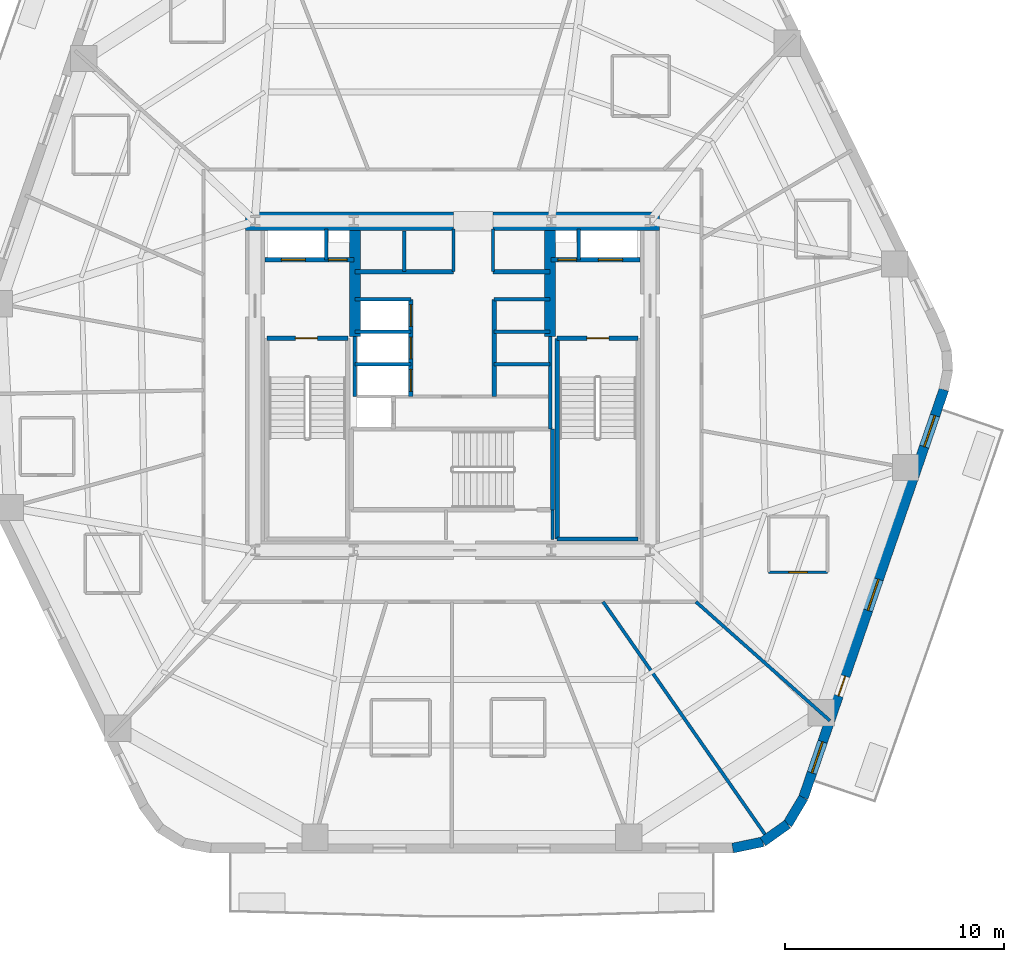
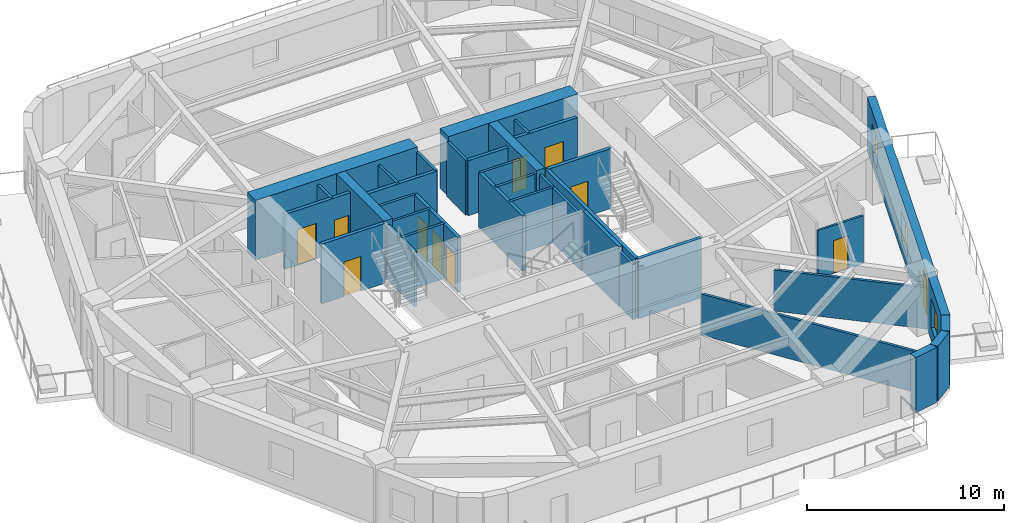
# One storey, part 4 of 8: 36 walls, 11 doors, 3 windows, 14 openings.
"""IFC4 building model written with IfcOpenShell, lengths in metres."""

import ifcopenshell
import ifcopenshell.guid

model = None  # the IFC model being written
_history = None  # IfcOwnerHistory: only IFC2X3 demands one
_inside = {}  # id of a spatial element -> (the spatial element, [elements in it])
_under = {}  # id of a project, library or spatial element -> (it, [spatial elements below it])
_declared = {}  # id of a project -> (the project, [libraries it declares])
_typed = {}  # id of a type object -> (the type object, [elements of that type])
_made_of = {}  # id of a material, layer set ... -> (it, [elements and type objects made of it])


def new_model(schema):
    """Start an empty IFC model of exactly this schema.

    Asked for "IFC4X3", IfcOpenShell would pick the latest addendum, in which some entities
    have other attributes; the version numbers below select the first issue.
    IFC2X3 requires an IfcOwnerHistory on every rooted entity: one is made here for all.
    """
    global model, _history
    if schema == "IFC4X3":
        model = ifcopenshell.file(schema_version=(4, 3, 0, 0))
    else:
        model = ifcopenshell.file(schema=schema)
    _inside.clear()
    _under.clear()
    _declared.clear()
    _typed.clear()
    _made_of.clear()
    _history = None
    if model.schema == "IFC2X3":
        org = make("IfcOrganization", Name="unknown")
        user = make(
            "IfcPersonAndOrganization",
            ThePerson=make("IfcPerson", FamilyName="unknown"),
            TheOrganization=org,
        )
        app = make(
            "IfcApplication",
            ApplicationDeveloper=org,
            Version="unknown",
            ApplicationFullName="unknown",
            ApplicationIdentifier="unknown",
        )
        _history = make(
            "IfcOwnerHistory",
            OwningUser=user,
            OwningApplication=app,
            ChangeAction="ADDED",
            CreationDate=0,
        )
    return model


def make(cls, **values):
    """One entity of the class cls with the attributes given. An attribute that is None is left unset."""
    return model.create_entity(
        cls, **{name: value for name, value in values.items() if value is not None}
    )


def rooted(cls, **values):
    """An entity with a GlobalId (a new one), such as an element, a storey or a relation."""
    return make(cls, GlobalId=ifcopenshell.guid.new(), OwnerHistory=_history, **values)


def si_unit(unit_type, name, prefix=None):
    """IfcSIUnit, for example si_unit("LENGTHUNIT", "METRE", prefix="MILLI")."""
    return make("IfcSIUnit", UnitType=unit_type, Prefix=prefix, Name=name)


def assignment(units):
    """IfcUnitAssignment: the units of a project."""
    return None if units is None else make("IfcUnitAssignment", Units=units)


def point(xyz):
    """IfcCartesianPoint."""
    return None if xyz is None else make("IfcCartesianPoint", Coordinates=xyz)


def direction(xyz):
    """IfcDirection."""
    return None if xyz is None else make("IfcDirection", DirectionRatios=xyz)


def frame(location, z_axis=None, x_axis=None):
    """IfcAxis2Placement3D, a coordinate frame: its origin and axes. An axis left out is left unset."""
    return make(
        "IfcAxis2Placement3D",
        Location=point(location),
        Axis=direction(z_axis),
        RefDirection=direction(x_axis),
    )


def frame_2d(location, x_axis=None):
    """IfcAxis2Placement2D, a coordinate frame in the plane: its origin and x axis."""
    return make(
        "IfcAxis2Placement2D", Location=point(location), RefDirection=direction(x_axis)
    )


def origin():
    """The frame at (0, 0, 0) with its axes left unset."""
    return frame((0.0, 0.0, 0.0))


def place(relative_to, where):
    """IfcLocalPlacement: puts the frame where relative to a parent placement (None: the world)."""
    return make(
        "IfcLocalPlacement", PlacementRelTo=relative_to, RelativePlacement=where
    )


def context(
    kind, dimensions, precision=None, world=None, true_north=None, identifier=None
):
    """IfcGeometricRepresentationContext, for example the 3D "Model" context."""
    return make(
        "IfcGeometricRepresentationContext",
        ContextIdentifier=identifier,
        ContextType=kind,
        CoordinateSpaceDimension=dimensions,
        Precision=precision,
        WorldCoordinateSystem=world,
        TrueNorth=true_north,
    )


def subcontext(parent, identifier, kind, view, scale=None):
    """IfcGeometricRepresentationSubContext, for example "Body" below "Model"."""
    return make(
        "IfcGeometricRepresentationSubContext",
        ContextIdentifier=identifier,
        ContextType=kind,
        ParentContext=parent,
        TargetScale=scale,
        TargetView=view,
    )


def project(units=None, contexts=None):
    """IfcProject with its units and contexts."""
    return rooted(
        "IfcProject",
        Name="project",
        RepresentationContexts=contexts,
        UnitsInContext=assignment(units),
    )


def spatial(cls, under=None, at=None, **own):
    """A site, building, storey or space (cls), placed at a placement, below another one or the project."""
    s = rooted(cls, ObjectPlacement=at, **own)
    if under is not None:
        _under.setdefault(under.id(), (under, []))[1].append(s)
    return s


def profile(cls, at=None, kind="AREA", **sizes):
    """A parametric profile (cls). Its sizes go by their IFC names, for example OverallWidth=200.0."""
    return make(cls, ProfileType=kind, Position=at, **sizes)


def rectangle(**sizes):
    """IfcRectangleProfileDef."""
    return profile("IfcRectangleProfileDef", **sizes)


def extrude(swept, where, along, depth):
    """IfcExtrudedAreaSolid: the profile swept, set in the frame where, extruded along a direction by depth."""
    return make(
        "IfcExtrudedAreaSolid",
        SweptArea=swept,
        Position=where,
        ExtrudedDirection=direction(along),
        Depth=depth,
    )


def shape(context_of_items, identifier, shape_type, items):
    """IfcShapeRepresentation: the items that make up one representation, for example the "Body"."""
    return make(
        "IfcShapeRepresentation",
        ContextOfItems=context_of_items,
        RepresentationIdentifier=identifier,
        RepresentationType=shape_type,
        Items=items,
    )


def material(Name=None, Category=None):
    """IfcMaterial."""
    return make("IfcMaterial", Name=Name, Category=Category)


def layer(
    of_material, thickness, ventilated=None, Name=None, Category=None, Priority=None
):
    """IfcMaterialLayer: one layer of a wall or slab, of a material (None: an air gap)."""
    return make(
        "IfcMaterialLayer",
        Material=of_material,
        LayerThickness=thickness,
        IsVentilated=ventilated,
        Name=Name,
        Category=Category,
        Priority=Priority,
    )


def layer_set(layers, Name=None):
    """IfcMaterialLayerSet."""
    return make("IfcMaterialLayerSet", MaterialLayers=layers, LayerSetName=Name)


def made_of(thing, what):
    """Note that an element or type object is made of a material, layer set ...; save() writes the relation."""
    if what is not None:
        _made_of.setdefault(what.id(), (what, []))[1].append(thing)
    return thing


def type_object(cls, material=None, **own):
    """A type object (cls), such as IfcWallType, which elements share."""
    return made_of(rooted(cls, **own), material)


def element(
    cls,
    number,
    at=None,
    inside=None,
    cuts=None,
    type_object=None,
    material=None,
    context=None,
    identifier="Body",
    shape_type=None,
    held_by="IfcProductDefinitionShape",
    body=None,
    shapes=None,
    **own,
):
    """One element of the class cls, such as IfcWall. Its Tag is "e" and its number.

    at: its placement. inside: the storey or other place that contains it. cuts: it is an
    opening in that element (IfcRelVoidsElement). A single representation is given by context,
    identifier, shape_type and body (its items); several are given by shapes. held_by: the class
    of the entity that holds the representations. save() writes the other relations.
    """
    e = rooted(cls, Tag="e%d" % number, ObjectPlacement=at, **own)
    if body is not None:
        shapes = [shape(context, identifier, shape_type, body)]
    if shapes is not None:
        e.Representation = make(held_by, Representations=shapes)
    if inside is not None:
        _inside.setdefault(inside.id(), (inside, []))[1].append(e)
    if cuts is not None:
        rooted(
            "IfcRelVoidsElement", RelatingBuildingElement=cuts, RelatedOpeningElement=e
        )
    if type_object is not None:
        _typed.setdefault(type_object.id(), (type_object, []))[1].append(e)
    return made_of(e, material)


def fill(opening, filler):
    """IfcRelFillsElement: the door or window that sits in an opening."""
    return rooted(
        "IfcRelFillsElement",
        RelatingOpeningElement=opening,
        RelatedBuildingElement=filler,
    )


def aggregate(whole, parts):
    """IfcRelAggregates: a whole, such as a stair, and the parts it consists of."""
    return rooted("IfcRelAggregates", RelatingObject=whole, RelatedObjects=parts)


def save(model, path):
    """Write the relations noted so far, then the file.

    IfcRelAggregates (storeys below a building ...), IfcRelContainedInSpatialStructure (elements
    in a storey), IfcRelDefinesByType, IfcRelAssociatesMaterial and IfcRelDeclares: one each for
    every whole, place, type object, material and project.
    """
    for whole, parts in _under.values():
        aggregate(whole, parts)
    for where, things in _inside.values():
        rooted(
            "IfcRelContainedInSpatialStructure",
            RelatedElements=things,
            RelatingStructure=where,
        )
    for kind, things in _typed.values():
        rooted("IfcRelDefinesByType", RelatedObjects=things, RelatingType=kind)
    for what, things in _made_of.values():
        rooted("IfcRelAssociatesMaterial", RelatedObjects=things, RelatingMaterial=what)
    for by, libraries in _declared.values():
        rooted("IfcRelDeclares", RelatingContext=by, RelatedDefinitions=libraries)
    model.write(path)


model = new_model("IFC4")

# Units and contexts
model_context = context("Model", 3, precision=1e-05, world=origin(), true_north=direction((0.0, 1.0)))
body_context = subcontext(model_context, "Body", "Model", "MODEL_VIEW")
ifc_project = project(units=[si_unit("LENGTHUNIT", "METRE"), si_unit("AREAUNIT", "SQUARE_METRE"), si_unit("VOLUMEUNIT", "CUBIC_METRE"), si_unit("PLANEANGLEUNIT", "RADIAN"), si_unit("MASSUNIT", "GRAM", prefix="KILO")], contexts=[model_context])

# Site, building, storey
site_placement = place(None, origin())
site = spatial("IfcSite", under=ifc_project, at=site_placement, CompositionType="ELEMENT")
building_placement = place(site_placement, origin())
building = spatial("IfcBuilding", under=site, at=building_placement, Name="Kilnhurst Terrace Hotel", CompositionType="ELEMENT")
storey_placement = place(building_placement, frame((0.0, 0.0, 102.5)))
storey = spatial("IfcBuildingStorey", under=building, at=storey_placement, Name="L24", CompositionType="ELEMENT", Elevation=102.5)

# Walls
ifc_material_1 = material(Name="Precast concrete C40/50", Category="concrete")
ifc_layer_1 = layer(ifc_material_1, 0.449951171875, Name="Precast concrete C40/50")
ifc_layer_set_1 = layer_set([ifc_layer_1], Name="Precast concrete C40/50")
wall_type_1 = type_object("IfcWallType", Name="WL-BRK-450", PredefinedType="SOLIDWALL", material=ifc_layer_set_1)
wall_1_placement = place(storey_placement, frame((12.7705078125, -21.074951171875, 0.0), z_axis=(0.0, 0.0, 1.0), x_axis=(0.97874281988, 0.205091424819, 0.0)))
element("IfcWall", 1, at=wall_1_placement, inside=storey, type_object=wall_type_1, Name="L24 Rounded Corner Brick Wall C2.1", PredefinedType="SOLIDWALL", context=body_context, shape_type="SweptSolid", body=[
    extrude(rectangle(XDim=1.40576171875, YDim=0.449951171875, at=frame_2d((0.702880859375, 0.0))), origin(), (0.0, 0.0, 1.0), 3.39990234375),
])
wall_2_placement = place(storey_placement, frame((14.146484375, -20.78662109375, 0.0), z_axis=(0.0, 0.0, 1.0), x_axis=(0.814162929117, 0.580636482536, 0.0)))
element("IfcWall", 2, at=wall_2_placement, inside=storey, type_object=wall_type_1, Name="L24 Rounded Corner Brick Wall C2.2", PredefinedType="SOLIDWALL", context=body_context, shape_type="SweptSolid", body=[
    extrude(rectangle(XDim=1.382080078125, YDim=0.449951171875, at=frame_2d((0.69091796875, 0.0))), origin(), (0.0, 0.0, 1.0), 3.39990234375),
])
wall_3_placement = place(storey_placement, frame((15.271728515625, -19.984130859375, 0.0), z_axis=(0.0, 0.0, 1.0), x_axis=(0.512579347361, 0.858639862025, 0.0)))
element("IfcWall", 3, at=wall_3_placement, inside=storey, type_object=wall_type_1, Name="L24 Rounded Corner Brick Wall C2.3", PredefinedType="SOLIDWALL", context=body_context, shape_type="SweptSolid", body=[
    extrude(rectangle(XDim=1.406005859375, YDim=0.449951171875, at=frame_2d((0.703125, 0.0))), origin(), (0.0, 0.0, 1.0), 3.39990234375),
])

# Wall, openings, door, windows
wall_4_placement = place(storey_placement, frame((15.992431640625, -18.77685546875, 0.0), z_axis=(0.0, 0.0, 1.0), x_axis=(0.325606988926, 0.945505202927, 0.0)))
wall_4 = element("IfcWall", 4, at=wall_4_placement, inside=storey, type_object=wall_type_1, Name="L24 Exterior Brick Facade Wall F2", PredefinedType="SOLIDWALL", context=body_context, shape_type="SweptSolid", body=[
    extrude(rectangle(XDim=19.66943359375, YDim=0.449951171875, at=frame_2d((9.834716796875, 0.0))), origin(), (0.0, 0.0, 1.0), 3.39990234375),
])
opening_1_placement = place(wall_4_placement, frame((4.908935546875, 0.0, 0.0)))
opening_1 = element("IfcOpeningElement", 5, at=opening_1_placement, cuts=wall_4, Name="Opening BD-950", PredefinedType="OPENING", context=body_context, shape_type="SweptSolid", body=[
    extrude(rectangle(XDim=0.949951171875, YDim=2.14990234375, at=frame_2d((0.47509765625, 1.074951171875))), frame((0.0, 0.23486328125, 0.0), z_axis=(0.0, -1.0, 0.0), x_axis=(1.0, 0.0, 0.0)), (0.0, 0.0, 1.0), 0.469970703125),
])
opening_2_placement = place(wall_4_placement, frame((1.197021484375, 0.0, 0.800048828125)))
opening_2 = element("IfcOpeningElement", 6, at=opening_2_placement, cuts=wall_4, Name="Opening W-02", PredefinedType="OPENING", context=body_context, shape_type="SweptSolid", body=[
    extrude(rectangle(XDim=1.5, YDim=1.800048828125, at=frame_2d((0.75, 0.89990234375))), frame((0.0, 0.23486328125, 0.0), z_axis=(0.0, -1.0, 0.0), x_axis=(1.0, 0.0, 0.0)), (0.0, 0.0, 1.0), 0.469970703125),
])
opening_3_placement = place(wall_4_placement, frame((9.030029296875, 0.0, 0.800048828125)))
opening_3 = element("IfcOpeningElement", 7, at=opening_3_placement, cuts=wall_4, Name="Opening W-02", PredefinedType="OPENING", context=body_context, shape_type="SweptSolid", body=[
    extrude(rectangle(XDim=1.5, YDim=1.800048828125, at=frame_2d((0.75, 0.89990234375))), frame((0.0, 0.23486328125, 0.0), z_axis=(0.0, -1.0, 0.0), x_axis=(1.0, 0.0, 0.0)), (0.0, 0.0, 1.0), 0.469970703125),
])
opening_4_placement = place(wall_4_placement, frame((16.91796875, 0.0, 0.800048828125)))
opening_4 = element("IfcOpeningElement", 8, at=opening_4_placement, cuts=wall_4, Name="Opening W-02", PredefinedType="OPENING", context=body_context, shape_type="SweptSolid", body=[
    extrude(rectangle(XDim=1.5, YDim=1.800048828125, at=frame_2d((0.75, 0.89990234375))), frame((0.0, 0.23486328125, 0.0), z_axis=(0.0, -1.0, 0.0), x_axis=(1.0, 0.0, 0.0)), (0.0, 0.0, 1.0), 0.469970703125),
])
ifc_material_2 = material(Name="Thermally Broken Bronze Aluminium Alloy 6063-T6 and Laminated Glass", Category="aluminium")
door_type_1 = type_object("IfcDoorType", Name="DR-EXT-BAL-950", OperationType="NOTDEFINED", PredefinedType="DOOR", material=ifc_material_2)
door_1_placement = place(opening_1_placement, origin())
door_1 = element("IfcDoor", 9, at=door_1_placement, inside=storey, type_object=door_type_1, Name="L24 Planted Balcony Door BAL-L1B", OperationType="SINGLE_SWING_RIGHT", OverallHeight=2.14990234375, OverallWidth=0.949951171875, PredefinedType="DOOR", context=body_context, shape_type="SweptSolid", body=[
    extrude(rectangle(XDim=0.949951171875, YDim=2.14990234375, at=frame_2d((0.47509765625, 1.074951171875))), frame((0.0, 0.02490234375, 0.0), z_axis=(0.0, -1.0, 0.0), x_axis=(1.0, 0.0, 0.0)), (0.0, 0.0, 1.0), 0.050048828125),
])
fill(opening_1, door_1)
ifc_material_3 = material(Name="Thermally Broken Bronze Aluminium Alloy 6063-T6 and Low-E Glass", Category="aluminium")
window_type = type_object("IfcWindowType", Name="WIN-1500X1800", PartitioningType="SINGLE_PANEL", PredefinedType="WINDOW", material=ifc_material_3)
window_1_placement = place(opening_2_placement, origin())
window_1 = element("IfcWindow", 10, at=window_1_placement, inside=storey, type_object=window_type, Name="L24 Deep-Set Masonry Window F2.1", OverallHeight=1.800048828125, OverallWidth=1.5, PartitioningType="SINGLE_PANEL", PredefinedType="WINDOW", context=body_context, shape_type="SweptSolid", body=[
    extrude(rectangle(XDim=1.5, YDim=1.800048828125, at=frame_2d((0.75, 0.89990234375))), frame((0.0, 0.030029296875, 0.0), z_axis=(0.0, -1.0, 0.0), x_axis=(1.0, 0.0, 0.0)), (0.0, 0.0, 1.0), 0.06005859375),
])
fill(opening_2, window_1)
window_2_placement = place(opening_3_placement, origin())
window_2 = element("IfcWindow", 11, at=window_2_placement, inside=storey, type_object=window_type, Name="L24 Deep-Set Masonry Window F2.2", OverallHeight=1.800048828125, OverallWidth=1.5, PartitioningType="SINGLE_PANEL", PredefinedType="WINDOW", context=body_context, shape_type="SweptSolid", body=[
    extrude(rectangle(XDim=1.5, YDim=1.800048828125, at=frame_2d((0.75, 0.89990234375))), frame((0.0, 0.030029296875, 0.0), z_axis=(0.0, -1.0, 0.0), x_axis=(1.0, 0.0, 0.0)), (0.0, 0.0, 1.0), 0.06005859375),
])
fill(opening_3, window_2)
window_3_placement = place(opening_4_placement, origin())
window_3 = element("IfcWindow", 12, at=window_3_placement, inside=storey, type_object=window_type, Name="L24 Deep-Set Masonry Window F2.3", OverallHeight=1.800048828125, OverallWidth=1.5, PartitioningType="SINGLE_PANEL", PredefinedType="WINDOW", context=body_context, shape_type="SweptSolid", body=[
    extrude(rectangle(XDim=1.5, YDim=1.800048828125, at=frame_2d((0.75, 0.89990234375))), frame((0.0, 0.030029296875, 0.0), z_axis=(0.0, -1.0, 0.0), x_axis=(1.0, 0.0, 0.0)), (0.0, 0.0, 1.0), 0.06005859375),
])
fill(opening_4, window_3)

# Walls
ifc_material_4 = material(Name="Concrete C80/95", Category="concrete")
ifc_layer_2 = layer(ifc_material_4, 0.85009765625, Name="Concrete C80/95")
ifc_layer_set_2 = layer_set([ifc_layer_2], Name="Concrete C80/95")
wall_type_2 = type_object("IfcWallType", Name="WL-CORE-850", PredefinedType="SHEAR", material=ifc_layer_set_2)
wall_5_placement = place(storey_placement, frame((-9.425048828125, 7.5, 0.0), z_axis=(0.0, 0.0, 1.0), x_axis=(1.0, 0.0, 0.0)))
element("IfcWall", 13, at=wall_5_placement, inside=storey, type_object=wall_type_2, Name="L24 Core North West Shear Wall", PredefinedType="SHEAR", context=body_context, shape_type="SweptSolid", body=[
    extrude(rectangle(XDim=9.47509765625, YDim=0.85009765625, at=frame_2d((4.737548828125, 0.0))), origin(), (0.0, 0.0, 1.0), 3.699951171875),
])
wall_6_placement = place(storey_placement, frame((1.85009765625, 7.5, 0.0), z_axis=(0.0, 0.0, 1.0), x_axis=(1.0, 0.0, 0.0)))
element("IfcWall", 14, at=wall_6_placement, inside=storey, type_object=wall_type_2, Name="L24 Core North East Shear Wall", PredefinedType="SHEAR", context=body_context, shape_type="SweptSolid", body=[
    extrude(rectangle(XDim=7.574951171875, YDim=0.85009765625, at=frame_2d((3.78759765625, 0.0))), origin(), (0.0, 0.0, 1.0), 3.699951171875),
])
ifc_material_5 = material(Name="Concrete C60/75", Category="concrete")
ifc_layer_3 = layer(ifc_material_5, 0.5, Name="Concrete C60/75")
ifc_layer_set_3 = layer_set([ifc_layer_3], Name="Concrete C60/75")
wall_type_3 = type_object("IfcWallType", Name="WL-CORE-WEB-500", PredefinedType="SHEAR", material=ifc_layer_set_3)
for number, where, z_axis, x_axis, name in (
    (15, (-4.449951171875, 2.25, 0.0), (0.0, 0.0, 1.0), (0.0, 1.0, 0.0), "L24 Core Internal West Shear Web"),
    (16, (4.449951171875, 2.25, 0.0), (0.0, 0.0, 1.0), (0.0, 1.0, 0.0), "L24 Core Internal East Shear Web"),
):
    element("IfcWall", number, at=place(storey_placement, frame(where, z_axis=z_axis, x_axis=x_axis)), inside=storey, type_object=wall_type_3, Name=name, PredefinedType="SHEAR", context=body_context, shape_type="SweptSolid", body=[
        extrude(rectangle(XDim=4.824951171875, YDim=0.5, at=frame_2d((2.41259765625, 0.0))), origin(), (0.0, 0.0, 1.0), 3.699951171875),
    ])
ifc_material_6 = material(Name="STC-58 Acoustic Twin-Frame Guestroom Demising Partition")
ifc_layer_4 = layer(ifc_material_6, 0.14990234375, Name="STC-58 Acoustic Twin-Frame Guestroom Demising Partition")
ifc_layer_set_4 = layer_set([ifc_layer_4], Name="STC-58 Acoustic Twin-Frame Guestroom Demising Partition")
wall_type_4 = type_object("IfcWallType", Name="WL-DEM-150", PredefinedType="PARTITIONING", material=ifc_layer_set_4)
wall_7_placement = place(storey_placement, frame((6.861083984375, -9.85009765625, 0.0), z_axis=(0.0, 0.0, 1.0), x_axis=(0.571575431292, -0.820549527051, 0.0)))
element("IfcWall", 17, at=wall_7_placement, inside=storey, type_object=wall_type_4, Name="L24 Interior Wall WL-L24-DEM-MID10-15-1", PredefinedType="PARTITIONING", context=body_context, shape_type="SweptSolid", body=[
    extrude(rectangle(XDim=12.97509765625, YDim=0.14990234375, at=frame_2d((6.487548828125, 0.0))), origin(), (0.0, 0.0, 1.0), 2.5400390625),
])
wall_8_placement = place(storey_placement, frame((11.097900390625, -9.85009765625, 0.0), z_axis=(0.0, 0.0, 1.0), x_axis=(0.747904295103, -0.663806572253, 0.0)))
element("IfcWall", 18, at=wall_8_placement, inside=storey, type_object=wall_type_4, Name="L24 Interior Wall WL-L24-DEM-COL11-16-1", PredefinedType="PARTITIONING", context=body_context, shape_type="SweptSolid", body=[
    extrude(rectangle(XDim=8.160400390625, YDim=0.14990234375, at=frame_2d((4.080078125, 0.0))), origin(), (0.0, 0.0, 1.0), 2.5400390625),
])

# Wall, opening, door
ifc_material_7 = material(Name="120 mm Moisture-Resistant Tile-Backed Bathroom Partition")
ifc_layer_5 = layer(ifc_material_7, 0.1201171875, Name="120 mm Moisture-Resistant Tile-Backed Bathroom Partition")
ifc_layer_set_5 = layer_set([ifc_layer_5], Name="120 mm Moisture-Resistant Tile-Backed Bathroom Partition")
wall_type_5 = type_object("IfcWallType", Name="WL-PART-120", PredefinedType="PARTITIONING", material=ifc_layer_set_5)
wall_9_placement = place(storey_placement, frame((14.4140625, -8.5, 0.0), z_axis=(0.0, 0.0, 1.0), x_axis=(1.0, 0.0, 0.0)))
wall_9 = element("IfcWall", 19, at=wall_9_placement, inside=storey, type_object=wall_type_5, Name="L24 Interior Wall WL-L24-BTH-16-1", PredefinedType="PARTITIONING", context=body_context, shape_type="SweptSolid", body=[
    extrude(rectangle(XDim=2.679931640625, YDim=0.1201171875, at=frame_2d((1.33984375, 0.0))), origin(), (0.0, 0.0, 1.0), 2.972412109375),
])
opening_5_placement = place(wall_9_placement, frame((0.9150390625, 0.0, 0.0)))
opening_5 = element("IfcOpeningElement", 20, at=opening_5_placement, cuts=wall_9, Name="Opening D-08A", PredefinedType="OPENING", context=body_context, shape_type="SweptSolid", body=[
    extrude(rectangle(XDim=0.85009765625, YDim=2.030029296875, at=frame_2d((0.425048828125, 1.01513671875))), frame((0.0, 0.070068359375, 0.0), z_axis=(0.0, -1.0, 0.0), x_axis=(1.0, 0.0, 0.0)), (0.0, 0.0, 1.0), 0.14013671875),
])
ifc_material_8 = material(Name="Moisture-Resistant Lacquered En-suite Bathroom Door")
door_type_2 = type_object("IfcDoorType", Name="DR-INT-850", OperationType="NOTDEFINED", PredefinedType="DOOR", material=ifc_material_8)
door_2_placement = place(opening_5_placement, origin())
door_2 = element("IfcDoor", 21, at=door_2_placement, inside=storey, type_object=door_type_2, Name="L24 En-suite Bathroom Door 16", OperationType="SINGLE_SWING_LEFT", OverallHeight=2.030029296875, OverallWidth=0.85009765625, PredefinedType="DOOR", context=body_context, shape_type="SweptSolid", body=[
    extrude(rectangle(XDim=0.85009765625, YDim=2.030029296875, at=frame_2d((0.425048828125, 1.01513671875))), frame((0.0, 0.02490234375, 0.0), z_axis=(0.0, -1.0, 0.0), x_axis=(1.0, 0.0, 0.0)), (0.0, 0.0, 1.0), 0.050048828125),
])
fill(opening_5, door_2)

# Walls
ifc_material_9 = material(Name="Fire-Rated Gypsum Shaftliner Assembly")
ifc_layer_6 = layer(ifc_material_9, 0.14990234375, Name="Fire-Rated Gypsum Shaftliner Assembly")
ifc_layer_set_6 = layer_set([ifc_layer_6], Name="Fire-Rated Gypsum Shaftliner Assembly")
wall_type_6 = type_object("IfcWallType", Name="WL-SHAFT-150", PredefinedType="PARTITIONING", material=ifc_layer_set_6)
wall_10_placement = place(storey_placement, frame((4.55810546875, -7.02001953125, 0.0), z_axis=(0.0, 0.0, 1.0), x_axis=(0.0, 1.0, 0.0)))
element("IfcWall", 22, at=wall_10_placement, inside=storey, type_object=wall_type_6, Name="L24 Interior Wall WL-L24-ST3-PSGE", PredefinedType="PARTITIONING", context=body_context, shape_type="SweptSolid", body=[
    extrude(rectangle(XDim=1.362060546875, YDim=0.14990234375, at=frame_2d((0.68115234375, 0.0))), origin(), (0.0, 0.0, 1.0), 3.39990234375),
])
for number, where, z_axis, x_axis, name in (
    (23, (-5.75, 5.739990234375, 0.0), (0.0, 0.0, 1.0), (0.0, 1.0, 0.0), "L24 Interior Wall WL-L24-RIS1-DIV"),
    (24, (5.75, 5.739990234375, 0.0), (0.0, 0.0, 1.0), (0.0, 1.0, 0.0), "L24 Interior Wall WL-L24-RIS2-DIV"),
):
    element("IfcWall", number, at=place(storey_placement, frame(where, z_axis=z_axis, x_axis=x_axis)), inside=storey, type_object=wall_type_6, Name=name, PredefinedType="PARTITIONING", context=body_context, shape_type="SweptSolid", body=[
        extrude(rectangle(XDim=1.409912109375, YDim=0.14990234375, at=frame_2d((0.705078125, 0.0))), origin(), (0.0, 0.0, 1.0), 3.39990234375),
    ])
wall_11_placement = place(storey_placement, frame((-2.199951171875, 5.199951171875, 0.0), z_axis=(0.0, 0.0, 1.0), x_axis=(0.0, 1.0, 0.0)))
element("IfcWall", 25, at=wall_11_placement, inside=storey, type_object=wall_type_6, Name="L24 Interior Wall WL-L24-HR-DIV1", PredefinedType="PARTITIONING", context=body_context, shape_type="SweptSolid", body=[
    extrude(rectangle(XDim=1.85009765625, YDim=0.14990234375, at=frame_2d((0.925048828125, 0.0))), origin(), (0.0, 0.0, 1.0), 3.39990234375),
])
for number, where, z_axis, x_axis, name in (
    (26, (0.050048828125, 5.199951171875, 0.0), (0.0, 0.0, 1.0), (0.0, 1.0, 0.0), "L24 Interior Wall WL-L24-HR-PORTAL-W"),
    (27, (1.85009765625, 5.199951171875, 0.0), (0.0, 0.0, 1.0), (0.0, 1.0, 0.0), "L24 Interior Wall WL-L24-HR-PORTAL-E"),
):
    element("IfcWall", number, at=place(storey_placement, frame(where, z_axis=z_axis, x_axis=x_axis)), inside=storey, type_object=wall_type_6, Name=name, PredefinedType="PARTITIONING", context=body_context, shape_type="SweptSolid", body=[
        extrude(rectangle(XDim=1.949951171875, YDim=0.14990234375, at=frame_2d((0.97509765625, 0.0))), origin(), (0.0, 0.0, 1.0), 3.39990234375),
    ])
wall_12_placement = place(storey_placement, frame((-4.449951171875, -0.5, 0.0), z_axis=(0.0, 0.0, 1.0), x_axis=(0.0, 1.0, 0.0)))
element("IfcWall", 28, at=wall_12_placement, inside=storey, type_object=wall_type_6, Name="L24 Interior Wall WL-L24-XLOB-W", PredefinedType="PARTITIONING", context=body_context, shape_type="SweptSolid", body=[
    extrude(rectangle(XDim=2.75, YDim=0.14990234375, at=frame_2d((1.375, 0.0))), origin(), (0.0, 0.0, 1.0), 3.39990234375),
])
wall_13_placement = place(storey_placement, frame((4.449951171875, -1.971923828125, 0.0), z_axis=(0.0, 0.0, 1.0), x_axis=(0.0, 1.0, 0.0)))
element("IfcWall", 29, at=wall_13_placement, inside=storey, type_object=wall_type_6, Name="L24 Interior Wall WL-L24-XLOB-E", PredefinedType="PARTITIONING", context=body_context, shape_type="SweptSolid", body=[
    extrude(rectangle(XDim=4.221923828125, YDim=0.14990234375, at=frame_2d((2.11083984375, 0.0))), origin(), (0.0, 0.0, 1.0), 3.39990234375),
])
for number, where, z_axis, x_axis, name in (
    (30, (-4.449951171875, 3.93994140625, 0.0), (0.0, 0.0, 1.0), (1.0, 0.0, 0.0), "L24 Interior Wall WL-L24-LR-NORTH"),
    (31, (-4.449951171875, 0.97998046875, 0.0), (0.0, 0.0, 1.0), (1.0, 0.0, 0.0), "L24 Interior Wall WL-L24-LR-D1"),
    (32, (-4.449951171875, 2.4599609375, 0.0), (0.0, 0.0, 1.0), (1.0, 0.0, 0.0), "L24 Interior Wall WL-L24-LR-D2"),
    (33, (1.89990234375, 3.93994140625, 0.0), (0.0, 0.0, 1.0), (1.0, 0.0, 0.0), "L24 Interior Wall WL-L24-MR-NORTH"),
    (34, (1.89990234375, 0.97998046875, 0.0), (0.0, 0.0, 1.0), (1.0, 0.0, 0.0), "L24 Interior Wall WL-L24-MR-D1"),
    (35, (1.89990234375, 2.4599609375, 0.0), (0.0, 0.0, 1.0), (1.0, 0.0, 0.0), "L24 Interior Wall WL-L24-MR-D2"),
):
    element("IfcWall", number, at=place(storey_placement, frame(where, z_axis=z_axis, x_axis=x_axis)), inside=storey, type_object=wall_type_6, Name=name, PredefinedType="PARTITIONING", context=body_context, shape_type="SweptSolid", body=[
        extrude(rectangle(XDim=2.550048828125, YDim=0.14990234375, at=frame_2d((1.27490234375, 0.0))), origin(), (0.0, 0.0, 1.0), 3.39990234375),
    ])

# Wall, openings, doors
ifc_material_10 = material(Name="Autoclaved Aerated Concrete C30/37 and Gypsum Shaft Assembly", Category="concrete")
ifc_layer_7 = layer(ifc_material_10, 0.199951171875, Name="Autoclaved Aerated Concrete C30/37 and Gypsum Shaft Assembly")
ifc_layer_set_7 = layer_set([ifc_layer_7], Name="Autoclaved Aerated Concrete C30/37 and Gypsum Shaft Assembly")
wall_type_7 = type_object("IfcWallType", Name="WL-SHAFT-200", PredefinedType="PARTITIONING", material=ifc_layer_set_7)
wall_14_placement = place(storey_placement, frame((-8.550048828125, 5.739990234375, 0.0), z_axis=(0.0, 0.0, 1.0), x_axis=(1.0, 0.0, 0.0)))
wall_14 = element("IfcWall", 36, at=wall_14_placement, inside=storey, type_object=wall_type_7, Name="L24 Interior Wall WL-L24-FSAE1-S", PredefinedType="PARTITIONING", context=body_context, shape_type="SweptSolid", body=[
    extrude(rectangle(XDim=4.050048828125, YDim=0.199951171875, at=frame_2d((2.02490234375, 0.0))), origin(), (0.0, 0.0, 1.0), 3.39990234375),
])
opening_6_placement = place(wall_14_placement, frame((0.75, 0.0, 0.0)))
opening_6 = element("IfcOpeningElement", 37, at=opening_6_placement, cuts=wall_14, Name="Opening LD-F1", PredefinedType="OPENING", context=body_context, shape_type="SweptSolid", body=[
    extrude(rectangle(XDim=1.10009765625, YDim=2.199951171875, at=frame_2d((0.550048828125, 1.10009765625))), frame((0.0, 0.10986328125, 0.0), z_axis=(0.0, -1.0, 0.0), x_axis=(1.0, 0.0, 0.0)), (0.0, 0.0, 1.0), 0.219970703125),
])
opening_7_placement = place(wall_14_placement, frame((2.89990234375, 0.0, 0.0)))
opening_7 = element("IfcOpeningElement", 38, at=opening_7_placement, cuts=wall_14, Name="Opening D-60D", PredefinedType="OPENING", context=body_context, shape_type="SweptSolid", body=[
    extrude(rectangle(XDim=0.85009765625, YDim=2.030029296875, at=frame_2d((0.425048828125, 1.01513671875))), frame((0.0, 0.10986328125, 0.0), z_axis=(0.0, -1.0, 0.0), x_axis=(1.0, 0.0, 0.0)), (0.0, 0.0, 1.0), 0.219970703125),
])
ifc_material_11 = material(Name="Painted Hollow Metal Steel ASTM A36 Riser Door", Category="steel")
door_type_3 = type_object("IfcDoorType", Name="DR-FD60-850", OperationType="NOTDEFINED", PredefinedType="DOOR", material=ifc_material_11)
door_3_placement = place(opening_7_placement, origin())
door_3 = element("IfcDoor", 39, at=door_3_placement, inside=storey, type_object=door_type_3, Name="L24 Electrical Riser Door", OperationType="SINGLE_SWING_LEFT", OverallHeight=2.030029296875, OverallWidth=0.85009765625, PredefinedType="DOOR", context=body_context, shape_type="SweptSolid", body=[
    extrude(rectangle(XDim=0.85009765625, YDim=2.030029296875, at=frame_2d((0.425048828125, 1.01513671875))), frame((0.0, 0.02490234375, 0.0), z_axis=(0.0, -1.0, 0.0), x_axis=(1.0, 0.0, 0.0)), (0.0, 0.0, 1.0), 0.050048828125),
])
fill(opening_7, door_3)
ifc_material_12 = material(Name="Bronze-Anodized Stainless Steel AISI 316L Sliding Door", Category="steel")
door_type_4 = type_object("IfcDoorType", Name="DR-LIFT-1100", OperationType="NOTDEFINED", PredefinedType="DOOR", material=ifc_material_12)
door_4_placement = place(opening_6_placement, origin())
door_4 = element("IfcDoor", 40, at=door_4_placement, inside=storey, type_object=door_type_4, Name="L24 FSAE-1 Landing Door", OperationType="SLIDING_TO_LEFT", OverallHeight=2.199951171875, OverallWidth=1.10009765625, PredefinedType="DOOR", context=body_context, shape_type="SweptSolid", body=[
    extrude(rectangle(XDim=1.10009765625, YDim=2.199951171875, at=frame_2d((0.550048828125, 1.10009765625))), frame((0.0, 0.02490234375, 0.0), z_axis=(0.0, -1.0, 0.0), x_axis=(1.0, 0.0, 0.0)), (0.0, 0.0, 1.0), 0.050048828125),
])
fill(opening_6, door_4)

wall_15_placement = place(storey_placement, frame((4.5, 5.739990234375, 0.0), z_axis=(0.0, 0.0, 1.0), x_axis=(1.0, 0.0, 0.0)))
wall_15 = element("IfcWall", 41, at=wall_15_placement, inside=storey, type_object=wall_type_7, Name="L24 Interior Wall WL-L24-FSAE2-S", PredefinedType="PARTITIONING", context=body_context, shape_type="SweptSolid", body=[
    extrude(rectangle(XDim=4.050048828125, YDim=0.199951171875, at=frame_2d((2.02490234375, 0.0))), origin(), (0.0, 0.0, 1.0), 3.39990234375),
])
opening_8_placement = place(wall_15_placement, frame((0.300048828125, 0.0, 0.0)))
opening_8 = element("IfcOpeningElement", 42, at=opening_8_placement, cuts=wall_15, Name="Opening D-60D", PredefinedType="OPENING", context=body_context, shape_type="SweptSolid", body=[
    extrude(rectangle(XDim=0.85009765625, YDim=2.030029296875, at=frame_2d((0.425048828125, 1.01513671875))), frame((0.0, 0.10986328125, 0.0), z_axis=(0.0, -1.0, 0.0), x_axis=(1.0, 0.0, 0.0)), (0.0, 0.0, 1.0), 0.219970703125),
])
opening_9_placement = place(wall_15_placement, frame((2.14990234375, 0.0, 0.0)))
opening_9 = element("IfcOpeningElement", 43, at=opening_9_placement, cuts=wall_15, Name="Opening LD-F2", PredefinedType="OPENING", context=body_context, shape_type="SweptSolid", body=[
    extrude(rectangle(XDim=1.10009765625, YDim=2.199951171875, at=frame_2d((0.550048828125, 1.10009765625))), frame((0.0, 0.10986328125, 0.0), z_axis=(0.0, -1.0, 0.0), x_axis=(1.0, 0.0, 0.0)), (0.0, 0.0, 1.0), 0.219970703125),
])
door_5_placement = place(opening_8_placement, origin())
door_5 = element("IfcDoor", 44, at=door_5_placement, inside=storey, type_object=door_type_3, Name="L24 Telecom Riser Door", OperationType="SINGLE_SWING_RIGHT", OverallHeight=2.030029296875, OverallWidth=0.85009765625, PredefinedType="DOOR", context=body_context, shape_type="SweptSolid", body=[
    extrude(rectangle(XDim=0.85009765625, YDim=2.030029296875, at=frame_2d((0.425048828125, 1.01513671875))), frame((0.0, 0.02490234375, 0.0), z_axis=(0.0, -1.0, 0.0), x_axis=(1.0, 0.0, 0.0)), (0.0, 0.0, 1.0), 0.050048828125),
])
fill(opening_8, door_5)
door_6_placement = place(opening_9_placement, origin())
door_6 = element("IfcDoor", 45, at=door_6_placement, inside=storey, type_object=door_type_4, Name="L24 FSAE-2 Landing Door", OperationType="SLIDING_TO_RIGHT", OverallHeight=2.199951171875, OverallWidth=1.10009765625, PredefinedType="DOOR", context=body_context, shape_type="SweptSolid", body=[
    extrude(rectangle(XDim=1.10009765625, YDim=2.199951171875, at=frame_2d((0.550048828125, 1.10009765625))), frame((0.0, 0.02490234375, 0.0), z_axis=(0.0, -1.0, 0.0), x_axis=(1.0, 0.0, 0.0)), (0.0, 0.0, 1.0), 0.050048828125),
])
fill(opening_9, door_6)

# Walls
wall_16_placement = place(storey_placement, frame((-4.449951171875, 5.199951171875, 0.0), z_axis=(0.0, 0.0, 1.0), x_axis=(1.0, 0.0, 0.0)))
element("IfcWall", 46, at=wall_16_placement, inside=storey, type_object=wall_type_7, Name="L24 Interior Wall WL-L24-HR-SW", PredefinedType="PARTITIONING", context=body_context, shape_type="SweptSolid", body=[
    extrude(rectangle(XDim=4.5, YDim=0.199951171875, at=frame_2d((2.25, 0.0))), origin(), (0.0, 0.0, 1.0), 3.39990234375),
])
wall_17_placement = place(storey_placement, frame((1.85009765625, 5.199951171875, 0.0), z_axis=(0.0, 0.0, 1.0), x_axis=(1.0, 0.0, 0.0)))
element("IfcWall", 47, at=wall_17_placement, inside=storey, type_object=wall_type_7, Name="L24 Interior Wall WL-L24-HR-SE", PredefinedType="PARTITIONING", context=body_context, shape_type="SweptSolid", body=[
    extrude(rectangle(XDim=2.599853515625, YDim=0.199951171875, at=frame_2d((1.2998046875, 0.0))), origin(), (0.0, 0.0, 1.0), 3.39990234375),
])

# Wall, openings, doors
wall_18_placement = place(storey_placement, frame((-1.89990234375, -0.5, 0.0), z_axis=(0.0, 0.0, 1.0), x_axis=(0.0, 1.0, 0.0)))
wall_18 = element("IfcWall", 48, at=wall_18_placement, inside=storey, type_object=wall_type_7, Name="L24 Interior Wall WL-L24-LR-FRONT", PredefinedType="PARTITIONING", context=body_context, shape_type="SweptSolid", body=[
    extrude(rectangle(XDim=4.43994140625, YDim=0.199951171875, at=frame_2d((2.219970703125, 0.0))), origin(), (0.0, 0.0, 1.0), 3.39990234375),
])
opening_10_placement = place(wall_18_placement, frame((0.239990234375, 0.0, 0.0)))
opening_10 = element("IfcOpeningElement", 49, at=opening_10_placement, cuts=wall_18, Name="Opening LD-LR", PredefinedType="OPENING", context=body_context, shape_type="SweptSolid", body=[
    extrude(rectangle(XDim=1.0, YDim=2.199951171875, at=frame_2d((0.5, 1.10009765625))), frame((0.0, 0.10986328125, 0.0), z_axis=(0.0, -1.0, 0.0), x_axis=(1.0, 0.0, 0.0)), (0.0, 0.0, 1.0), 0.219970703125),
])
opening_11_placement = place(wall_18_placement, frame((1.719970703125, 0.0, 0.0)))
opening_11 = element("IfcOpeningElement", 50, at=opening_11_placement, cuts=wall_18, Name="Opening LD-LR", PredefinedType="OPENING", context=body_context, shape_type="SweptSolid", body=[
    extrude(rectangle(XDim=1.0, YDim=2.199951171875, at=frame_2d((0.5, 1.10009765625))), frame((0.0, 0.10986328125, 0.0), z_axis=(0.0, -1.0, 0.0), x_axis=(1.0, 0.0, 0.0)), (0.0, 0.0, 1.0), 0.219970703125),
])
opening_12_placement = place(wall_18_placement, frame((3.199951171875, 0.0, 0.0)))
opening_12 = element("IfcOpeningElement", 51, at=opening_12_placement, cuts=wall_18, Name="Opening LD-LR", PredefinedType="OPENING", context=body_context, shape_type="SweptSolid", body=[
    extrude(rectangle(XDim=1.0, YDim=2.199951171875, at=frame_2d((0.5, 1.10009765625))), frame((0.0, 0.10986328125, 0.0), z_axis=(0.0, -1.0, 0.0), x_axis=(1.0, 0.0, 0.0)), (0.0, 0.0, 1.0), 0.219970703125),
])
door_type_5 = type_object("IfcDoorType", Name="DR-LIFT-1000", OperationType="NOTDEFINED", PredefinedType="DOOR", material=ifc_material_12)
door_7_placement = place(opening_10_placement, origin())
door_7 = element("IfcDoor", 52, at=door_7_placement, inside=storey, type_object=door_type_5, Name="L24 Low Rise Lift LR-1 Landing Door", OperationType="SLIDING_TO_LEFT", OverallHeight=2.199951171875, OverallWidth=1.0, PredefinedType="DOOR", context=body_context, shape_type="SweptSolid", body=[
    extrude(rectangle(XDim=1.0, YDim=2.199951171875, at=frame_2d((0.5, 1.10009765625))), frame((0.0, 0.02490234375, 0.0), z_axis=(0.0, -1.0, 0.0), x_axis=(1.0, 0.0, 0.0)), (0.0, 0.0, 1.0), 0.050048828125),
])
fill(opening_10, door_7)
door_8_placement = place(opening_11_placement, origin())
door_8 = element("IfcDoor", 53, at=door_8_placement, inside=storey, type_object=door_type_5, Name="L24 Low Rise Lift LR-2 Landing Door", OperationType="SLIDING_TO_LEFT", OverallHeight=2.199951171875, OverallWidth=1.0, PredefinedType="DOOR", context=body_context, shape_type="SweptSolid", body=[
    extrude(rectangle(XDim=1.0, YDim=2.199951171875, at=frame_2d((0.5, 1.10009765625))), frame((0.0, 0.02490234375, 0.0), z_axis=(0.0, -1.0, 0.0), x_axis=(1.0, 0.0, 0.0)), (0.0, 0.0, 1.0), 0.050048828125),
])
fill(opening_11, door_8)
door_9_placement = place(opening_12_placement, origin())
door_9 = element("IfcDoor", 54, at=door_9_placement, inside=storey, type_object=door_type_5, Name="L24 Low Rise Lift LR-3 Landing Door", OperationType="SLIDING_TO_LEFT", OverallHeight=2.199951171875, OverallWidth=1.0, PredefinedType="DOOR", context=body_context, shape_type="SweptSolid", body=[
    extrude(rectangle(XDim=1.0, YDim=2.199951171875, at=frame_2d((0.5, 1.10009765625))), frame((0.0, 0.02490234375, 0.0), z_axis=(0.0, -1.0, 0.0), x_axis=(1.0, 0.0, 0.0)), (0.0, 0.0, 1.0), 0.050048828125),
])
fill(opening_12, door_9)

# Wall
wall_19_placement = place(storey_placement, frame((1.89990234375, -0.5, 0.0), z_axis=(0.0, 0.0, 1.0), x_axis=(0.0, 1.0, 0.0)))
element("IfcWall", 55, at=wall_19_placement, inside=storey, type_object=wall_type_7, Name="L24 Interior Wall WL-L24-MR-FRONT", PredefinedType="PARTITIONING", context=body_context, shape_type="SweptSolid", body=[
    extrude(rectangle(XDim=4.43994140625, YDim=0.199951171875, at=frame_2d((2.219970703125, 0.0))), origin(), (0.0, 0.0, 1.0), 3.39990234375),
])

# Wall, opening, door
ifc_material_13 = material(Name="Concrete C50/60", Category="concrete")
ifc_layer_8 = layer(ifc_material_13, 0.199951171875, Name="Concrete C50/60")
ifc_layer_set_8 = layer_set([ifc_layer_8], Name="Concrete C50/60")
wall_type_8 = type_object("IfcWallType", Name="WL-STAIR-RC-200", PredefinedType="SHEAR", material=ifc_layer_set_8)
wall_20_placement = place(storey_placement, frame((-8.4580078125, 2.157958984375, 0.0), z_axis=(0.0, 0.0, 1.0), x_axis=(1.0, 0.0, 0.0)))
wall_20 = element("IfcWall", 56, at=wall_20_placement, inside=storey, type_object=wall_type_8, Name="L24 Structural Stair Shaft Wall WL-L24-ST1-N", PredefinedType="SHEAR", context=body_context, shape_type="SweptSolid", body=[
    extrude(rectangle(XDim=3.68603515625, YDim=0.199951171875, at=frame_2d((1.843017578125, 0.0))), origin(), (0.0, 0.0, 1.0), 3.699951171875),
])
opening_13_placement = place(wall_20_placement, frame((1.300048828125, 0.0, 0.0)))
opening_13 = element("IfcOpeningElement", 57, at=opening_13_placement, cuts=wall_20, Name="Opening D-90B", PredefinedType="OPENING", context=body_context, shape_type="SweptSolid", body=[
    extrude(rectangle(XDim=1.0, YDim=2.14990234375, at=frame_2d((0.5, 1.074951171875))), frame((0.0, 0.10986328125, 0.0), z_axis=(0.0, -1.0, 0.0), x_axis=(1.0, 0.0, 0.0)), (0.0, 0.0, 1.0), 0.219970703125),
])
ifc_material_14 = material(Name="Painted Hollow Metal Steel ASTM A36 Fire Door", Category="steel")
door_type_6 = type_object("IfcDoorType", Name="DR-FD90-1000", OperationType="NOTDEFINED", PredefinedType="DOOR", material=ifc_material_14)
door_10_placement = place(opening_13_placement, origin())
door_10 = element("IfcDoor", 58, at=door_10_placement, inside=storey, type_object=door_type_6, Name="L24 Stair ST-1 Door", OperationType="SINGLE_SWING_LEFT", OverallHeight=2.14990234375, OverallWidth=1.0, PredefinedType="DOOR", context=body_context, shape_type="SweptSolid", body=[
    extrude(rectangle(XDim=1.0, YDim=2.14990234375, at=frame_2d((0.5, 1.074951171875))), frame((0.0, 0.02490234375, 0.0), z_axis=(0.0, -1.0, 0.0), x_axis=(1.0, 0.0, 0.0)), (0.0, 0.0, 1.0), 0.050048828125),
])
fill(opening_13, door_10)

# Walls
wall_21_placement = place(storey_placement, frame((4.77197265625, -6.985107421875, 0.0), z_axis=(0.0, 0.0, 1.0), x_axis=(0.0, 1.0, 0.0)))
element("IfcWall", 59, at=wall_21_placement, inside=storey, type_object=wall_type_8, Name="L24 Structural Stair Shaft Wall WL-L24-ST2-W", PredefinedType="SHEAR", context=body_context, shape_type="SweptSolid", body=[
    extrude(rectangle(XDim=9.14306640625, YDim=0.199951171875, at=frame_2d((4.571533203125, 0.0))), origin(), (0.0, 0.0, 1.0), 3.699951171875),
])
wall_22_placement = place(storey_placement, frame((4.77197265625, -6.985107421875, 0.0), z_axis=(0.0, 0.0, 1.0), x_axis=(1.0, 0.0, 0.0)))
element("IfcWall", 60, at=wall_22_placement, inside=storey, type_object=wall_type_8, Name="L24 Structural Stair Shaft Wall WL-L24-ST2-S", PredefinedType="SHEAR", context=body_context, shape_type="SweptSolid", body=[
    extrude(rectangle(XDim=3.68603515625, YDim=0.199951171875, at=frame_2d((1.843017578125, 0.0))), origin(), (0.0, 0.0, 1.0), 3.699951171875),
])

# Wall, opening, door
wall_23_placement = place(storey_placement, frame((4.77197265625, 2.157958984375, 0.0), z_axis=(0.0, 0.0, 1.0), x_axis=(1.0, 0.0, 0.0)))
wall_23 = element("IfcWall", 61, at=wall_23_placement, inside=storey, type_object=wall_type_8, Name="L24 Structural Stair Shaft Wall WL-L24-ST2-N", PredefinedType="SHEAR", context=body_context, shape_type="SweptSolid", body=[
    extrude(rectangle(XDim=3.68603515625, YDim=0.199951171875, at=frame_2d((1.843017578125, 0.0))), origin(), (0.0, 0.0, 1.0), 3.699951171875),
])
opening_14_placement = place(wall_23_placement, frame((1.35009765625, 0.0, 0.0)))
opening_14 = element("IfcOpeningElement", 62, at=opening_14_placement, cuts=wall_23, Name="Opening D-90B", PredefinedType="OPENING", context=body_context, shape_type="SweptSolid", body=[
    extrude(rectangle(XDim=1.0, YDim=2.14990234375, at=frame_2d((0.5, 1.074951171875))), frame((0.0, 0.10986328125, 0.0), z_axis=(0.0, -1.0, 0.0), x_axis=(1.0, 0.0, 0.0)), (0.0, 0.0, 1.0), 0.219970703125),
])
door_11_placement = place(opening_14_placement, origin())
door_11 = element("IfcDoor", 63, at=door_11_placement, inside=storey, type_object=door_type_6, Name="L24 Stair ST-2 Door", OperationType="SINGLE_SWING_RIGHT", OverallHeight=2.14990234375, OverallWidth=1.0, PredefinedType="DOOR", context=body_context, shape_type="SweptSolid", body=[
    extrude(rectangle(XDim=1.0, YDim=2.14990234375, at=frame_2d((0.5, 1.074951171875))), frame((0.0, 0.02490234375, 0.0), z_axis=(0.0, -1.0, 0.0), x_axis=(1.0, 0.0, 0.0)), (0.0, 0.0, 1.0), 0.050048828125),
])
fill(opening_14, door_11)

# Wall
wall_24_placement = place(storey_placement, frame((4.55810546875, -5.657958984375, 0.0), z_axis=(0.0, 0.0, 1.0), x_axis=(0.0, 1.0, 0.0)))
element("IfcWall", 64, at=wall_24_placement, inside=storey, type_object=wall_type_8, Name="L24 Structural Stair Shaft Wall WL-L24-ST3-E", PredefinedType="SHEAR", context=body_context, shape_type="SweptSolid", body=[
    extrude(rectangle(XDim=3.68603515625, YDim=0.199951171875, at=frame_2d((1.843017578125, 0.0))), origin(), (0.0, 0.0, 1.0), 3.699951171875),
])

save(model, "model.ifc")
